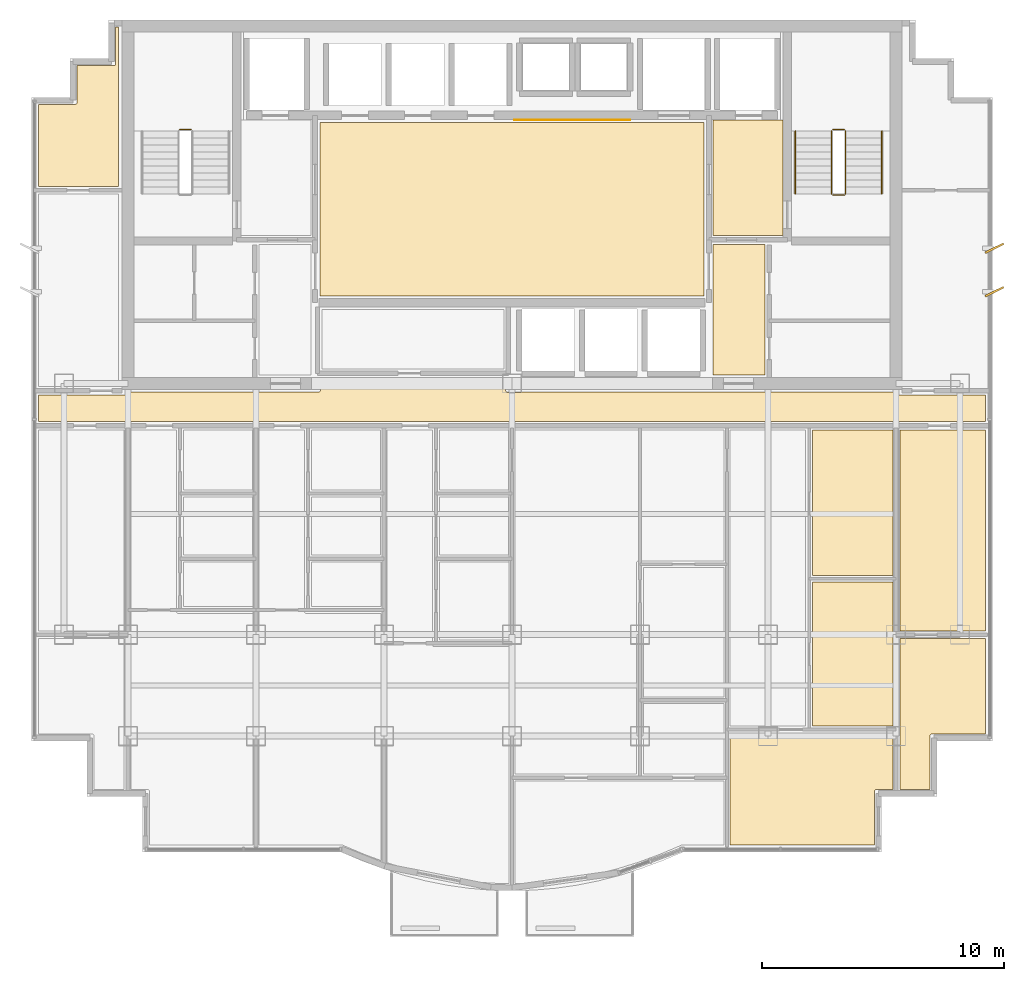
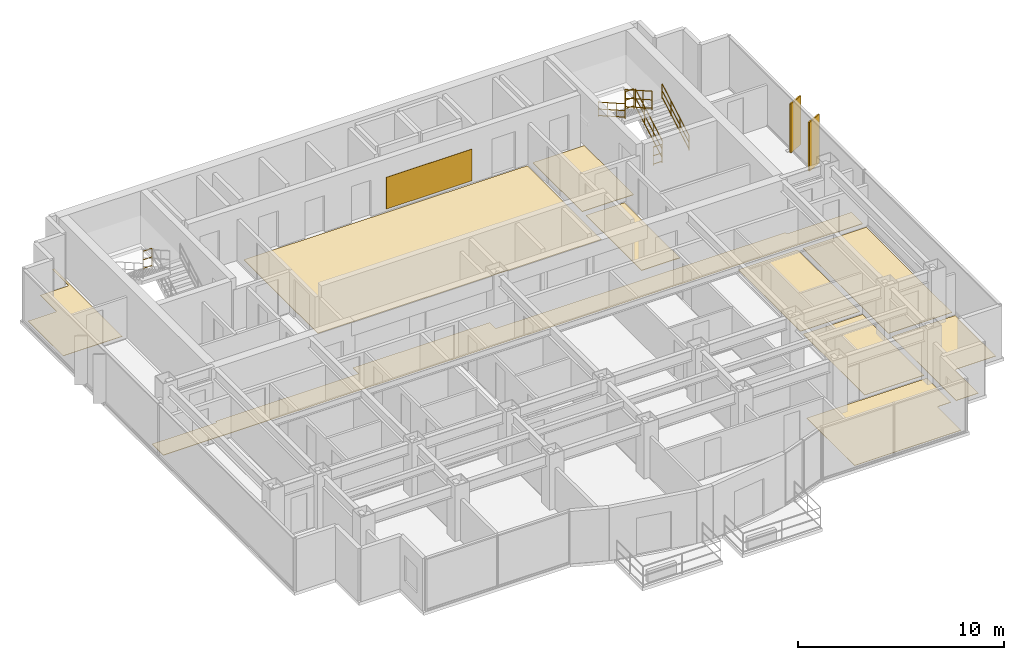
# One storey, part 12 of 12: 11 coverings, 7 railings, 2 shading devices.
"""IFC4 building model written with IfcOpenShell, lengths in metres."""

from ifc_helpers import new_model, si_unit, direction, frame, origin, origin_2d, place, context, subcontext, project, spatial, polyline, rectangle, circle, outline, extrude, source, transform, mapped, material, layer, layer_set, type_object, element, save


model = new_model("IFC4")

# Units and contexts
model_context = context("Model", 3, precision=1e-05, world=origin(), true_north=direction((0.0, 1.0)))
body_context = subcontext(model_context, "Body", "Model", "MODEL_VIEW")
ifc_project = project(units=[si_unit("LENGTHUNIT", "METRE"), si_unit("AREAUNIT", "SQUARE_METRE"), si_unit("VOLUMEUNIT", "CUBIC_METRE"), si_unit("PLANEANGLEUNIT", "RADIAN"), si_unit("MASSUNIT", "GRAM", prefix="KILO")], contexts=[model_context])

# Site, building, storey
site_placement = place(None, origin())
site = spatial("IfcSite", under=ifc_project, at=site_placement, CompositionType="ELEMENT")
building_placement = place(site_placement, origin())
building = spatial("IfcBuilding", under=site, at=building_placement, Name="Qianlan Lanfeng Residences", CompositionType="ELEMENT")
storey_placement = place(building_placement, frame((0.0, 0.0, 196.699951171875)))
storey = spatial("IfcBuildingStorey", under=building, at=storey_placement, Name="L53", CompositionType="ELEMENT", Elevation=196.699951171875)

# Coverings
ifc_material_1 = material(Name="Anodised Bronze Feature Wall Cladding")
ifc_layer_1 = layer(ifc_material_1, 0.02490234375)
ifc_layer_set_1 = layer_set([ifc_layer_1], Name="Anodised Bronze Feature Wall Cladding")
covering_type_1 = type_object("IfcCoveringType", Name="CLD-BRZ-25", PredefinedType="CLADDING", material=ifc_layer_set_1)
covering_1_placement = place(storey_placement, frame((0.0, 0.0, 0.150146484375)))
element("IfcCovering", 1, at=covering_1_placement, inside=storey, type_object=covering_type_1, Name="L53 Lift Lobby Bronze Feature Cladding", PredefinedType="CLADDING", context=body_context, shape_type="SweptSolid", body=[
    extrude(outline(polyline([(26.60009765625, 36.10009765625), (31.39990234375, 36.10009765625), (31.39990234375, 36.125), (26.60009765625, 36.125), (26.60009765625, 36.10009765625)])), origin(), (0.0, 0.0, 1.0), 1.8798828125),
])
ifc_material_2 = material(Name="Honed Taitung Granite Stone Flooring", Category="masonry")
ifc_layer_2 = layer(ifc_material_2, 0.030029296875)
ifc_layer_set_2 = layer_set([ifc_layer_2], Name="Honed Taitung Granite Stone Flooring")
covering_type_2 = type_object("IfcCoveringType", Name="FLR-STN-30", PredefinedType="FLOORING", material=ifc_layer_set_2)
covering_2_placement = place(storey_placement, origin())
element("IfcCovering", 2, at=covering_2_placement, inside=storey, type_object=covering_type_2, Name="L53 Firefighting Lift Lobby Floor Finish", PredefinedType="FLOORING", context=body_context, shape_type="SweptSolid", body=[
    extrude(outline(polyline([(34.820068359375, 31.320068359375), (37.7099609375, 31.320068359375), (37.7099609375, 36.110107421875), (34.820068359375, 36.110107421875), (34.820068359375, 31.320068359375)])), origin(), (0.0, 0.0, 1.0), 0.030029296875),
])
covering_3_placement = place(storey_placement, origin())
element("IfcCovering", 3, at=covering_3_placement, inside=storey, type_object=covering_type_2, Name="L53 Lift Lobby Floor Finish", PredefinedType="FLOORING", context=body_context, shape_type="SweptSolid", body=[
    extrude(outline(polyline([(18.550048828125, 28.820068359375), (34.449951171875, 28.820068359375), (34.449951171875, 36.010009765625), (18.550048828125, 36.010009765625), (18.550048828125, 28.820068359375)])), origin(), (0.0, 0.0, 1.0), 0.030029296875),
])
covering_4_placement = place(storey_placement, origin())
element("IfcCovering", 4, at=covering_4_placement, inside=storey, type_object=covering_type_2, Name="L53 Residential Corridor Floor Finish", PredefinedType="FLOORING", context=body_context, shape_type="SweptSolid", body=[
    extrude(outline(polyline([(6.889892578125, 23.6298828125), (46.110107421875, 23.6298828125), (46.110107421875, 24.719970703125), (42.5400390625, 24.719970703125), (42.532958984375, 24.719970703125), (42.52587890625, 24.720947265625), (42.52001953125, 24.722900390625), (42.512939453125, 24.72509765625), (42.507080078125, 24.72802734375), (42.5009765625, 24.73193359375), (42.49609375, 24.736083984375), (42.490966796875, 24.740966796875), (42.486083984375, 24.74609375), (42.48193359375, 24.7509765625), (42.47802734375, 24.757080078125), (42.47509765625, 24.762939453125), (42.472900390625, 24.77001953125), (42.470947265625, 24.77587890625), (42.469970703125, 24.782958984375), (42.469970703125, 24.7900390625), (42.469970703125, 24.85009765625), (26.300048828125, 24.85009765625), (26.29296875, 24.85009765625), (26.285888671875, 24.85107421875), (26.280029296875, 24.85302734375), (26.27294921875, 24.85498046875), (26.26708984375, 24.85791015625), (26.260986328125, 24.862060546875), (26.256103515625, 24.865966796875), (26.2509765625, 24.87109375), (26.24609375, 24.8759765625), (26.241943359375, 24.881103515625), (26.238037109375, 24.886962890625), (26.235107421875, 24.89306640625), (26.23291015625, 24.89990234375), (26.23095703125, 24.906005859375), (26.22998046875, 24.9130859375), (26.22998046875, 24.919921875), (26.22998046875, 25.429931640625), (18.570068359375, 25.429931640625), (18.570068359375, 24.919921875), (18.570068359375, 24.9130859375), (18.569091796875, 24.906005859375), (18.56689453125, 24.89990234375), (18.56494140625, 24.89306640625), (18.56201171875, 24.886962890625), (18.55810546875, 24.881103515625), (18.553955078125, 24.8759765625), (18.549072265625, 24.87109375), (18.5439453125, 24.865966796875), (18.5390625, 24.862060546875), (18.532958984375, 24.85791015625), (18.527099609375, 24.85498046875), (18.52001953125, 24.85302734375), (18.513916015625, 24.85107421875), (18.507080078125, 24.85009765625), (18.5, 24.85009765625), (10.530029296875, 24.85009765625), (10.530029296875, 24.7900390625), (10.530029296875, 24.782958984375), (10.529052734375, 24.77587890625), (10.527099609375, 24.77001953125), (10.52490234375, 24.762939453125), (10.52197265625, 24.757080078125), (10.51806640625, 24.7509765625), (10.513916015625, 24.74609375), (10.509033203125, 24.740966796875), (10.50390625, 24.736083984375), (10.4990234375, 24.73193359375), (10.492919921875, 24.72802734375), (10.487060546875, 24.72509765625), (10.47998046875, 24.722900390625), (10.47412109375, 24.720947265625), (10.467041015625, 24.719970703125), (10.4599609375, 24.719970703125), (6.889892578125, 24.719970703125), (6.889892578125, 23.6298828125)])), origin(), (0.0, 0.0, 1.0), 0.030029296875),
])
covering_5_placement = place(storey_placement, origin())
element("IfcCovering", 5, at=covering_5_placement, inside=storey, type_object=covering_type_2, Name="L53 Lift Lobby Floor Finish", PredefinedType="FLOORING", context=body_context, shape_type="SweptSolid", body=[
    extrude(outline(polyline([(34.830078125, 25.56005859375), (36.969970703125, 25.56005859375), (36.969970703125, 30.949951171875), (34.830078125, 30.949951171875), (34.830078125, 25.56005859375)])), origin(), (0.0, 0.0, 1.0), 0.030029296875),
])
ifc_material_3 = material(Name="Engineered Smoked Oak Timber Flooring", Category="wood")
ifc_layer_3 = layer(ifc_material_3, 0.02197265625)
ifc_layer_set_3 = layer_set([ifc_layer_3], Name="Engineered Smoked Oak Timber Flooring")
covering_type_3 = type_object("IfcCoveringType", Name="FLR-TIM-22", PredefinedType="FLOORING", material=ifc_layer_set_3)
covering_6_placement = place(storey_placement, origin())
element("IfcCovering", 6, at=covering_6_placement, inside=storey, type_object=covering_type_3, Name="L53 Bedroom Floor Finish", PredefinedType="FLOORING", context=body_context, shape_type="SweptSolid", body=[
    extrude(outline(polyline([(35.530029296875, 10.737060546875), (35.530029296875, 6.090087890625), (41.510009765625, 6.090087890625), (41.510009765625, 8.320068359375), (41.510009765625, 8.326904296875), (41.510986328125, 8.333984375), (41.512939453125, 8.340087890625), (41.514892578125, 8.346923828125), (41.51806640625, 8.35302734375), (41.52197265625, 8.35888671875), (41.52587890625, 8.364013671875), (41.531005859375, 8.368896484375), (41.535888671875, 8.3740234375), (41.541015625, 8.3779296875), (41.547119140625, 8.382080078125), (41.552978515625, 8.385009765625), (41.56005859375, 8.386962890625), (41.56591796875, 8.388916015625), (41.572998046875, 8.389892578125), (41.580078125, 8.389892578125), (42.27001953125, 8.389892578125), (42.27001953125, 10.737060546875), (35.530029296875, 10.737060546875)])), origin(), (0.0, 0.0, 1.0), 0.02197265625),
])
covering_7_placement = place(storey_placement, origin())
element("IfcCovering", 7, at=covering_7_placement, inside=storey, type_object=covering_type_3, Name="L53 Private Study Floor Finish", PredefinedType="FLOORING", context=body_context, shape_type="SweptSolid", body=[
    extrude(outline(polyline([(38.93994140625, 11.01708984375), (42.27001953125, 11.01708984375), (42.27001953125, 16.97412109375), (38.93994140625, 16.97412109375), (38.93994140625, 11.01708984375)])), origin(), (0.0, 0.0, 1.0), 0.02197265625),
])
covering_8_placement = place(storey_placement, origin())
element("IfcCovering", 8, at=covering_8_placement, inside=storey, type_object=covering_type_3, Name="L53 Summit Salon Floor Finish", PredefinedType="FLOORING", context=body_context, shape_type="SweptSolid", body=[
    extrude(outline(polyline([(38.93994140625, 17.25390625), (42.27001953125, 17.25390625), (42.27001953125, 23.280029296875), (38.93994140625, 23.280029296875), (38.93994140625, 17.25390625)])), origin(), (0.0, 0.0, 1.0), 0.02197265625),
])
covering_9_placement = place(storey_placement, origin())
element("IfcCovering", 9, at=covering_9_placement, inside=storey, type_object=covering_type_3, Name="L53 Sunroom Floor Finish", PredefinedType="FLOORING", context=body_context, shape_type="SweptSolid", body=[
    extrude(outline(polyline([(46.110107421875, 14.64990234375), (42.56005859375, 14.64990234375), (42.56005859375, 8.389892578125), (43.81005859375, 8.389892578125), (43.81005859375, 10.6201171875), (43.81005859375, 10.626953125), (43.81103515625, 10.634033203125), (43.81298828125, 10.639892578125), (43.81494140625, 10.64697265625), (43.818115234375, 10.653076171875), (43.822021484375, 10.658935546875), (43.825927734375, 10.6640625), (43.8310546875, 10.6689453125), (43.8359375, 10.674072265625), (43.841064453125, 10.677978515625), (43.846923828125, 10.681884765625), (43.85302734375, 10.68505859375), (43.860107421875, 10.68701171875), (43.865966796875, 10.68896484375), (43.873046875, 10.68994140625), (43.8798828125, 10.68994140625), (46.110107421875, 10.68994140625), (46.110107421875, 14.64990234375)])), origin(), (0.0, 0.0, 1.0), 0.02197265625),
])
covering_10_placement = place(storey_placement, origin())
element("IfcCovering", 10, at=covering_10_placement, inside=storey, type_object=covering_type_3, Name="L53 Private Study Floor Finish", PredefinedType="FLOORING", context=body_context, shape_type="SweptSolid", body=[
    extrude(outline(polyline([(46.110107421875, 23.280029296875), (42.56005859375, 23.280029296875), (42.56005859375, 14.949951171875), (46.110107421875, 14.949951171875), (46.110107421875, 23.280029296875)])), origin(), (0.0, 0.0, 1.0), 0.02197265625),
])
covering_11_placement = place(storey_placement, origin())
element("IfcCovering", 11, at=covering_11_placement, inside=storey, type_object=covering_type_3, Name="L53 Resident Lounge Floor Finish", PredefinedType="FLOORING", context=body_context, shape_type="SweptSolid", body=[
    extrude(outline(polyline([(6.889892578125, 33.35009765625), (10.199951171875, 33.35009765625), (10.199951171875, 39.9599609375), (10.090087890625, 39.9599609375), (10.090087890625, 38.429931640625), (10.090087890625, 38.423095703125), (10.089111328125, 38.416015625), (10.0869140625, 38.409912109375), (10.0849609375, 38.403076171875), (10.08203125, 38.39697265625), (10.077880859375, 38.39111328125), (10.073974609375, 38.385986328125), (10.069091796875, 38.381103515625), (10.06396484375, 38.3759765625), (10.05908203125, 38.3720703125), (10.052978515625, 38.367919921875), (10.047119140625, 38.364990234375), (10.0400390625, 38.363037109375), (10.033935546875, 38.361083984375), (10.027099609375, 38.360107421875), (10.02001953125, 38.360107421875), (8.489990234375, 38.360107421875), (8.489990234375, 36.830078125), (8.489990234375, 36.822998046875), (8.489013671875, 36.81591796875), (8.487060546875, 36.81005859375), (8.485107421875, 36.802978515625), (8.48193359375, 36.797119140625), (8.47802734375, 36.791015625), (8.47412109375, 36.785888671875), (8.468994140625, 36.781005859375), (8.464111328125, 36.77587890625), (8.458984375, 36.77197265625), (8.452880859375, 36.76806640625), (8.447021484375, 36.764892578125), (8.43994140625, 36.762939453125), (8.43408203125, 36.760986328125), (8.427001953125, 36.760009765625), (8.419921875, 36.760009765625), (6.889892578125, 36.760009765625), (6.889892578125, 33.35009765625)])), origin(), (0.0, 0.0, 1.0), 0.02197265625),
])

# Railings
ifc_material_4 = material(Name="Painted Galvanised Steel Guardrail", Category="steel")
railing_type_1 = type_object("IfcRailingType", Name="GR-ST-1120", PredefinedType="GUARDRAIL", material=ifc_material_4)
railing_1_placement = place(storey_placement, frame((13.219970703125, 35.7099609375, 1.650146484375)))
element("IfcRailing", 12, at=railing_1_placement, inside=storey, type_object=railing_type_1, Name="L53 ST-1 stair guard 2", PredefinedType="GUARDRAIL", context=body_context, shape_type="SweptSolid", body=[
    extrude(circle(Radius=0.02392578125, at=origin_2d()), frame((0.0, 0.0, 0.083984375), z_axis=(-1.0, 0.0, 0.0), x_axis=(0.0, -1.0, 0.0)), (0.0, 0.0, 1.0), 0.47998046875),
    extrude(circle(Radius=0.02392578125, at=origin_2d()), frame((0.0, 0.0, 0.58251953125), z_axis=(-1.0, 0.0, 0.0), x_axis=(0.0, -1.0, 0.0)), (0.0, 0.0, 1.0), 0.47998046875),
    extrude(circle(Radius=0.02392578125, at=origin_2d()), frame((0.0, 0.0, 1.09619140625), z_axis=(-1.0, 0.0, 0.0), x_axis=(0.0, -1.0, 0.0)), (0.0, 0.0, 1.0), 0.47998046875),
    extrude(circle(Radius=0.02099609375, at=origin_2d()), origin(), (0.0, 0.0, 1.0), 1.072021484375),
    extrude(circle(Radius=0.02099609375, at=origin_2d()), frame((-0.47998046875, 0.0, 0.0)), (0.0, 0.0, 1.0), 1.072021484375),
])
railing_2_placement = place(storey_placement, frame((40.31005859375, 33.050048828125, 0.1650390625)))
element("IfcRailing", 13, at=railing_2_placement, inside=storey, type_object=railing_type_1, Name="L53 ST-2 stair guard 1", PredefinedType="GUARDRAIL", context=body_context, shape_type="SweptSolid", body=[
    extrude(circle(Radius=0.02392578125, at=origin_2d()), frame((0.0, 0.0, 0.083984375), z_axis=(0.0, 0.869137319866, 0.494570843475), x_axis=(-1.0, 0.0, 0.0)), (0.0, 0.0, 1.0), 3.0029296875),
    extrude(circle(Radius=0.02392578125, at=origin_2d()), frame((0.0, 0.0, 0.58251953125), z_axis=(0.0, 0.869137319866, 0.494570843475), x_axis=(-1.0, 0.0, 0.0)), (0.0, 0.0, 1.0), 3.0029296875),
    extrude(circle(Radius=0.02392578125, at=origin_2d()), frame((0.0, 0.0, 1.09619140625), z_axis=(0.0, 0.869137319866, 0.494570843475), x_axis=(-1.0, 0.0, 0.0)), (0.0, 0.0, 1.0), 3.0029296875),
    extrude(circle(Radius=0.02099609375, at=origin_2d()), origin(), (0.0, 0.0, 1.0), 1.072021484375),
    extrude(circle(Radius=0.02099609375, at=origin_2d()), frame((0.0, 0.869873046875, 0.4951171875)), (0.0, 0.0, 1.0), 1.072021484375),
    extrude(circle(Radius=0.02099609375, at=origin_2d()), frame((0.0, 1.739990234375, 0.989990234375)), (0.0, 0.0, 1.0), 1.072021484375),
    extrude(circle(Radius=0.02099609375, at=origin_2d()), frame((0.0, 2.60986328125, 1.485107421875)), (0.0, 0.0, 1.0), 1.072021484375),
])
railing_3_placement = place(storey_placement, frame((40.260009765625, 35.7099609375, 1.650146484375)))
element("IfcRailing", 14, at=railing_3_placement, inside=storey, type_object=railing_type_1, Name="L53 ST-2 stair guard 2", PredefinedType="GUARDRAIL", context=body_context, shape_type="SweptSolid", body=[
    extrude(circle(Radius=0.02392578125, at=origin_2d()), frame((0.0, 0.0, 0.083984375), z_axis=(-1.0, 0.0, 0.0), x_axis=(0.0, -1.0, 0.0)), (0.0, 0.0, 1.0), 0.47998046875),
    extrude(circle(Radius=0.02392578125, at=origin_2d()), frame((0.0, 0.0, 0.58251953125), z_axis=(-1.0, 0.0, 0.0), x_axis=(0.0, -1.0, 0.0)), (0.0, 0.0, 1.0), 0.47998046875),
    extrude(circle(Radius=0.02392578125, at=origin_2d()), frame((0.0, 0.0, 1.09619140625), z_axis=(-1.0, 0.0, 0.0), x_axis=(0.0, -1.0, 0.0)), (0.0, 0.0, 1.0), 0.47998046875),
    extrude(circle(Radius=0.02099609375, at=origin_2d()), origin(), (0.0, 0.0, 1.0), 1.072021484375),
    extrude(circle(Radius=0.02099609375, at=origin_2d()), frame((-0.47998046875, 0.0, 0.0)), (0.0, 0.0, 1.0), 1.072021484375),
])
railing_4_placement = place(storey_placement, frame((39.72998046875, 35.659912109375, 1.81494140625)))
element("IfcRailing", 15, at=railing_4_placement, inside=storey, type_object=railing_type_1, Name="L53 ST-2 stair guard 3", PredefinedType="GUARDRAIL", context=body_context, shape_type="SweptSolid", body=[
    extrude(circle(Radius=0.02392578125, at=origin_2d()), frame((0.0, 0.0, 0.083984375), z_axis=(0.0, -0.869137319866, 0.494570843475), x_axis=(1.0, 0.0, 0.0)), (0.0, 0.0, 1.0), 3.0029296875),
    extrude(circle(Radius=0.02392578125, at=origin_2d()), frame((0.0, 0.0, 0.58251953125), z_axis=(0.0, -0.869137319866, 0.494570843475), x_axis=(1.0, 0.0, 0.0)), (0.0, 0.0, 1.0), 3.0029296875),
    extrude(circle(Radius=0.02392578125, at=origin_2d()), frame((0.0, 0.0, 1.09619140625), z_axis=(0.0, -0.869137319866, 0.494570843475), x_axis=(1.0, 0.0, 0.0)), (0.0, 0.0, 1.0), 3.0029296875),
    extrude(circle(Radius=0.02099609375, at=origin_2d()), origin(), (0.0, 0.0, 1.0), 1.072021484375),
    extrude(circle(Radius=0.02099609375, at=origin_2d()), frame((0.0, -0.869873046875, 0.4951171875)), (0.0, 0.0, 1.0), 1.072021484375),
    extrude(circle(Radius=0.02099609375, at=origin_2d()), frame((0.0, -1.739990234375, 0.989990234375)), (0.0, 0.0, 1.0), 1.072021484375),
    extrude(circle(Radius=0.02099609375, at=origin_2d()), frame((0.0, -2.60986328125, 1.485107421875)), (0.0, 0.0, 1.0), 1.072021484375),
])
railing_5_placement = place(storey_placement, frame((40.260009765625, 33.0, 0.0)))
element("IfcRailing", 16, at=railing_5_placement, inside=storey, type_object=railing_type_1, Name="L53 ST-2 stair guard 4", PredefinedType="GUARDRAIL", context=body_context, shape_type="SweptSolid", body=[
    extrude(circle(Radius=0.02392578125, at=origin_2d()), frame((0.0, 0.0, 0.083984375), z_axis=(-1.0, 0.0, 0.0), x_axis=(0.0, -1.0, 0.0)), (0.0, 0.0, 1.0), 0.47998046875),
    extrude(circle(Radius=0.02392578125, at=origin_2d()), frame((0.0, 0.0, 0.58251953125), z_axis=(-1.0, 0.0, 0.0), x_axis=(0.0, -1.0, 0.0)), (0.0, 0.0, 1.0), 0.47998046875),
    extrude(circle(Radius=0.02392578125, at=origin_2d()), frame((0.0, 0.0, 1.09619140625), z_axis=(-1.0, 0.0, 0.0), x_axis=(0.0, -1.0, 0.0)), (0.0, 0.0, 1.0), 0.47998046875),
    extrude(circle(Radius=0.02099609375, at=origin_2d()), origin(), (0.0, 0.0, 1.0), 1.072021484375),
    extrude(circle(Radius=0.02099609375, at=origin_2d()), frame((-0.47998046875, 0.0, 0.0)), (0.0, 0.0, 1.0), 1.072021484375),
])
ifc_material_5 = material(Name="Brushed Stainless Steel Handrail", Category="steel")
railing_type_2 = type_object("IfcRailingType", Name="HR-ST-920", PredefinedType="HANDRAIL", material=ifc_material_5)
railing_6_placement = place(storey_placement, frame((41.81005859375, 33.050048828125, 0.1650390625)))
element("IfcRailing", 17, at=railing_6_placement, inside=storey, type_object=railing_type_2, Name="L53 ST-2 stair handrail 1", PredefinedType="HANDRAIL", context=body_context, shape_type="SweptSolid", body=[
    extrude(circle(Radius=0.02392578125, at=origin_2d()), frame((0.0, 0.0, 0.083984375), z_axis=(0.0, 0.869137319866, 0.494570843475), x_axis=(-1.0, 0.0, 0.0)), (0.0, 0.0, 1.0), 3.0029296875),
    extrude(circle(Radius=0.02392578125, at=origin_2d()), frame((0.0, 0.0, 0.468017578125), z_axis=(0.0, 0.869137319866, 0.494570843475), x_axis=(-1.0, 0.0, 0.0)), (0.0, 0.0, 1.0), 3.0029296875),
    extrude(circle(Radius=0.02392578125, at=origin_2d()), frame((0.0, 0.0, 0.8759765625), z_axis=(0.0, 0.869137319866, 0.494570843475), x_axis=(-1.0, 0.0, 0.0)), (0.0, 0.0, 1.0), 3.0029296875),
    extrude(circle(Radius=0.02099609375, at=origin_2d()), origin(), (0.0, 0.0, 1.0), 0.851806640625),
    extrude(circle(Radius=0.02099609375, at=origin_2d()), frame((0.0, 0.869873046875, 0.4951171875)), (0.0, 0.0, 1.0), 0.851806640625),
    extrude(circle(Radius=0.02099609375, at=origin_2d()), frame((0.0, 1.739990234375, 0.989990234375)), (0.0, 0.0, 1.0), 0.851806640625),
    extrude(circle(Radius=0.02099609375, at=origin_2d()), frame((0.0, 2.60986328125, 1.485107421875)), (0.0, 0.0, 1.0), 0.851806640625),
])
railing_7_placement = place(storey_placement, frame((38.22998046875, 35.659912109375, 1.81494140625)))
element("IfcRailing", 18, at=railing_7_placement, inside=storey, type_object=railing_type_2, Name="L53 ST-2 stair handrail 2", PredefinedType="HANDRAIL", context=body_context, shape_type="SweptSolid", body=[
    extrude(circle(Radius=0.02392578125, at=origin_2d()), frame((0.0, 0.0, 0.083984375), z_axis=(0.0, -0.869137319866, 0.494570843475), x_axis=(1.0, 0.0, 0.0)), (0.0, 0.0, 1.0), 3.0029296875),
    extrude(circle(Radius=0.02392578125, at=origin_2d()), frame((0.0, 0.0, 0.468017578125), z_axis=(0.0, -0.869137319866, 0.494570843475), x_axis=(1.0, 0.0, 0.0)), (0.0, 0.0, 1.0), 3.0029296875),
    extrude(circle(Radius=0.02392578125, at=origin_2d()), frame((0.0, 0.0, 0.8759765625), z_axis=(0.0, -0.869137319866, 0.494570843475), x_axis=(1.0, 0.0, 0.0)), (0.0, 0.0, 1.0), 3.0029296875),
    extrude(circle(Radius=0.02099609375, at=origin_2d()), origin(), (0.0, 0.0, 1.0), 0.851806640625),
    extrude(circle(Radius=0.02099609375, at=origin_2d()), frame((0.0, -0.869873046875, 0.4951171875)), (0.0, 0.0, 1.0), 0.851806640625),
    extrude(circle(Radius=0.02099609375, at=origin_2d()), frame((0.0, -1.739990234375, 0.989990234375)), (0.0, 0.0, 1.0), 0.851806640625),
    extrude(circle(Radius=0.02099609375, at=origin_2d()), frame((0.0, -2.60986328125, 1.485107421875)), (0.0, 0.0, 1.0), 0.851806640625),
])

# Shading devices
ifc_material_6 = material(Name="Anodised Bronze Aluminium Solar Fin", Category="aluminium")
shading_device_type = type_object("IfcShadingDeviceType", Name="FIN-BRZ-850", PredefinedType="SHUTTER", material=ifc_material_6)
shared_shape = source(origin(), body_context, "Body", "SweptSolid", [
    extrude(rectangle(XDim=0.85009765625, YDim=0.080078125, at=origin_2d()), origin(), (0.0, 0.0, 1.0), 2.89990234375),
])
for number, where, z_axis, x_axis, name in (
    (19, (46.469970703125, 29.0, 0.0), (0.0, 0.0, 1.0), (0.898794046299, 0.438371146789, 0.0), "L53 Raked Bronze Solar Fin E1"),
    (20, (46.469970703125, 30.800048828125, 0.0), (0.0, 0.0, 1.0), (0.898794046299, 0.438371146789, 0.0), "L53 Raked Bronze Solar Fin E2"),
):
    element("IfcShadingDevice", number, at=place(storey_placement, frame(where, z_axis=z_axis, x_axis=x_axis)), inside=storey, type_object=shading_device_type, Name=name, PredefinedType="SHUTTER", context=body_context, shape_type="MappedRepresentation", body=[
        mapped(shared_shape, transform((0.0, 0.0, 0.0), scale=1.0)),
    ])

save(model, "model.ifc")
